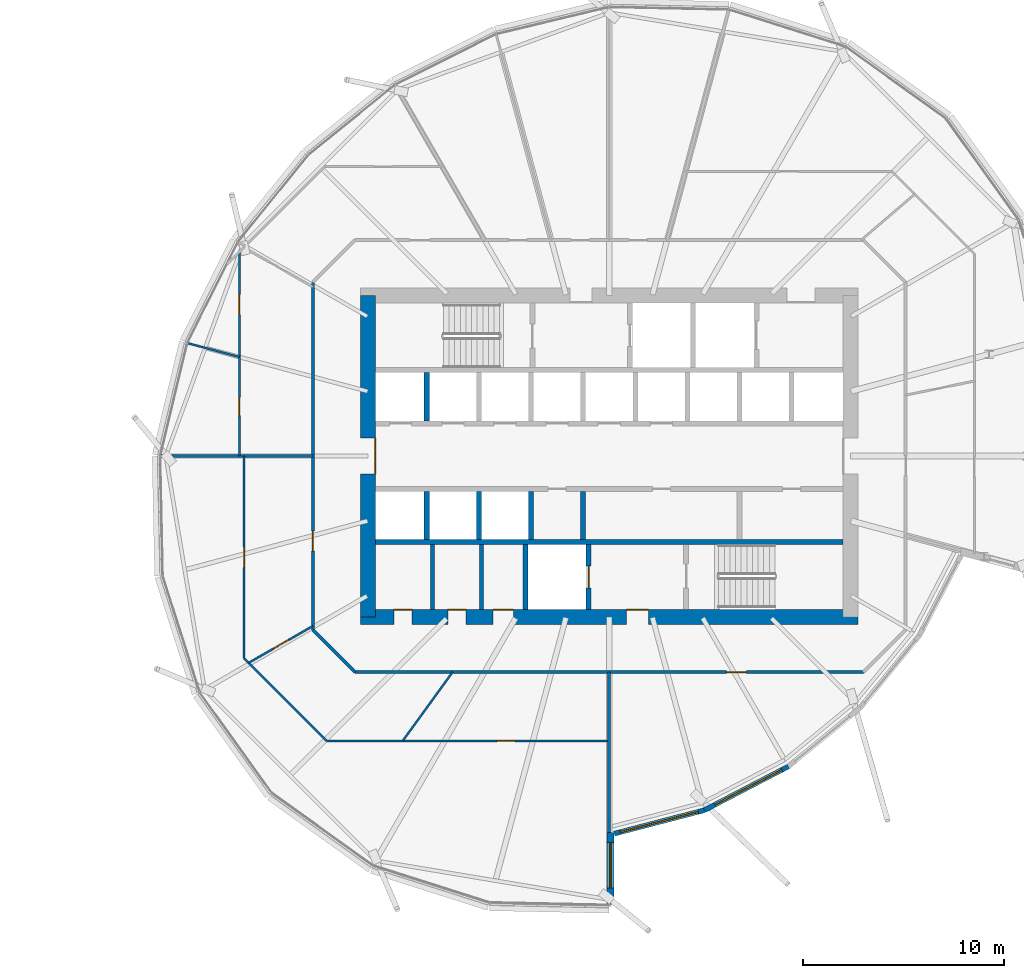
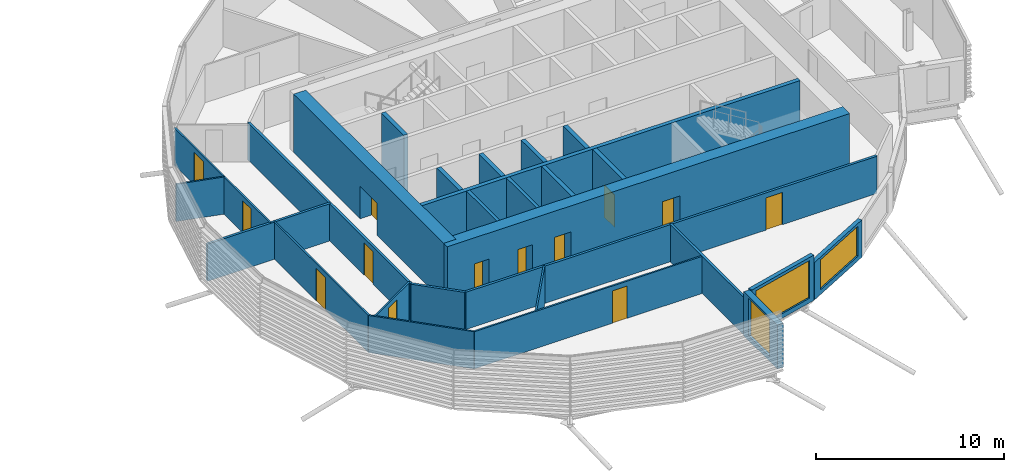
# One storey, part 24 of 40: 28 walls, 13 doors, 3 windows, 16 openings.
"""IFC4 building model written with IfcOpenShell, lengths in metres."""

from ifc_helpers import new_model, si_unit, direction, frame, frame_2d, origin, place, context, subcontext, project, spatial, rectangle, extrude, material, layer, layer_set, type_object, element, fill, save


model = new_model("IFC4")

# Units and contexts
model_context = context("Model", 3, precision=1e-05, world=origin(), true_north=direction((0.0, 1.0)))
body_context = subcontext(model_context, "Body", "Model", "MODEL_VIEW")
ifc_project = project(units=[si_unit("LENGTHUNIT", "METRE"), si_unit("AREAUNIT", "SQUARE_METRE"), si_unit("VOLUMEUNIT", "CUBIC_METRE"), si_unit("PLANEANGLEUNIT", "RADIAN"), si_unit("MASSUNIT", "GRAM", prefix="KILO")], contexts=[model_context])

# Site, building, storey
site_placement = place(None, origin())
site = spatial("IfcSite", under=ifc_project, at=site_placement, CompositionType="ELEMENT")
building_placement = place(site_placement, origin())
building = spatial("IfcBuilding", under=site, at=building_placement, Name="Rimbun Link Towers", CompositionType="ELEMENT")
storey_placement = place(building_placement, frame((0.0, 0.0, 89.199951171875)))
storey = spatial("IfcBuildingStorey", under=building, at=storey_placement, Name="L21", CompositionType="ELEMENT", Elevation=89.199951171875)

# Wall, opening, window
ifc_material_1 = material(Name="Dark enamelled glass spandrel on insulated aluminium backpan", Category="aluminium")
ifc_layer_1 = layer(ifc_material_1, 0.25)
ifc_layer_set_1 = layer_set([ifc_layer_1], Name="CS dark enamelled spandrel wall 250")
wall_type_1 = type_object("IfcWallType", Name="CS dark enamelled spandrel wall 250", PredefinedType="STANDARD", material=ifc_layer_set_1)
wall_1_placement = place(storey_placement, frame((36.486083984375, -17.623779296875, 0.0), z_axis=(0.0, 0.0, 1.0), x_axis=(-0.967713396726, -0.252053132883, 0.0)))
wall_1 = element("IfcWall", 1, at=wall_1_placement, inside=storey, type_object=wall_type_1, Name="Crease spandrel wall", PredefinedType="STANDARD", context=body_context, shape_type="SweptSolid", body=[
    extrude(rectangle(XDim=4.6357421875, YDim=0.25, at=frame_2d((2.31787109375, 0.0))), origin(), (0.0, 0.0, 1.0), 2.946533203125),
])
opening_1_placement = place(wall_1_placement, frame((0.31787109375, 0.0, 0.300048828125)))
opening_1 = element("IfcOpeningElement", 2, at=opening_1_placement, cuts=wall_1, Name="Opening WR40H245", PredefinedType="OPENING", context=body_context, shape_type="SweptSolid", body=[
    extrude(rectangle(XDim=4.0, YDim=2.449951171875, at=frame_2d((2.0, 1.22509765625))), frame((0.0, 0.135009765625, 0.0), z_axis=(0.0, -1.0, 0.0), x_axis=(1.0, 0.0, 0.0)), (0.0, 0.0, 1.0), 0.27001953125),
])
ifc_material_2 = material(Name="Aluminium framed fixed window, dark tinted low-e glass", Category="aluminium")
window_type_1 = type_object("IfcWindowType", Name="WR ribbon window 4000X2450", PartitioningType="SINGLE_PANEL", PredefinedType="WINDOW", material=ifc_material_2)
window_1_placement = place(opening_1_placement, origin())
window_1 = element("IfcWindow", 3, at=window_1_placement, inside=storey, type_object=window_type_1, Name="Crease ribbon window", OverallHeight=2.449951171875, OverallWidth=4.0, PartitioningType="SINGLE_PANEL", PredefinedType="WINDOW", context=body_context, shape_type="SweptSolid", body=[
    extrude(rectangle(XDim=4.0, YDim=2.449951171875, at=frame_2d((2.0, 1.22509765625))), frame((0.0, 0.030029296875, 0.0), z_axis=(0.0, -1.0, 0.0), x_axis=(1.0, 0.0, 0.0)), (0.0, 0.0, 1.0), 0.06005859375),
])
fill(opening_1, window_1)

wall_2_placement = place(storey_placement, frame((40.6748046875, -15.443359375, 0.0), z_axis=(0.0, 0.0, 1.0), x_axis=(-0.887018644264, -0.461733607969, 0.0)))
wall_2 = element("IfcWall", 4, at=wall_2_placement, inside=storey, type_object=wall_type_1, Name="Crease spandrel wall", PredefinedType="STANDARD", context=body_context, shape_type="SweptSolid", body=[
    extrude(rectangle(XDim=4.72216796875, YDim=0.25, at=frame_2d((2.361083984375, 0.0))), origin(), (0.0, 0.0, 1.0), 2.429931640625),
])
opening_2_placement = place(wall_2_placement, frame((0.376708984375, 0.0, 0.300048828125)))
opening_2 = element("IfcOpeningElement", 5, at=opening_2_placement, cuts=wall_2, Name="Opening WR38H195", PredefinedType="OPENING", context=body_context, shape_type="SweptSolid", body=[
    extrude(rectangle(XDim=3.75, YDim=1.949951171875, at=frame_2d((1.875, 0.97509765625))), frame((0.0, 0.135009765625, 0.0), z_axis=(0.0, -1.0, 0.0), x_axis=(1.0, 0.0, 0.0)), (0.0, 0.0, 1.0), 0.27001953125),
])
ifc_material_3 = material(Name="Aluminium framed fixed window, dark tinted low-e glass", Category="aluminium")
window_type_2 = type_object("IfcWindowType", Name="WR ribbon window 3750X1950", PartitioningType="SINGLE_PANEL", PredefinedType="WINDOW", material=ifc_material_3)
window_2_placement = place(opening_2_placement, origin())
window_2 = element("IfcWindow", 6, at=window_2_placement, inside=storey, type_object=window_type_2, Name="Crease ribbon window", OverallHeight=1.949951171875, OverallWidth=3.75, PartitioningType="SINGLE_PANEL", PredefinedType="WINDOW", context=body_context, shape_type="SweptSolid", body=[
    extrude(rectangle(XDim=3.75, YDim=1.949951171875, at=frame_2d((1.875, 0.97509765625))), frame((0.0, 0.030029296875, 0.0), z_axis=(0.0, -1.0, 0.0), x_axis=(1.0, 0.0, 0.0)), (0.0, 0.0, 1.0), 0.06005859375),
])
fill(opening_2, window_2)

ifc_material_4 = material(Name="Dark enamelled glass spandrel on insulated aluminium backpan", Category="aluminium")
ifc_layer_2 = layer(ifc_material_4, 0.3701171875)
ifc_layer_set_2 = layer_set([ifc_layer_2], Name="CS dark enamelled spandrel wall 370")
wall_type_2 = type_object("IfcWallType", Name="CS dark enamelled spandrel wall 370", PredefinedType="STANDARD", material=ifc_layer_set_2)
wall_3_placement = place(storey_placement, frame((31.81494140625, -18.728271484375, 0.0), z_axis=(0.0, 0.0, 1.0), x_axis=(0.0, -1.0, 0.0)))
wall_3 = element("IfcWall", 7, at=wall_3_placement, inside=storey, type_object=wall_type_2, Name="Crease spandrel wall", PredefinedType="STANDARD", context=body_context, shape_type="SweptSolid", body=[
    extrude(rectangle(XDim=3.580078125, YDim=0.3701171875, at=frame_2d((1.7900390625, 0.0))), origin(), (0.0, 0.0, 1.0), 2.867919921875),
])
opening_3_placement = place(wall_3_placement, frame((0.513427734375, 0.0, 0.300048828125)))
opening_3 = element("IfcOpeningElement", 8, at=opening_3_placement, cuts=wall_3, Name="Opening WR22H245", PredefinedType="OPENING", context=body_context, shape_type="SweptSolid", body=[
    extrude(rectangle(XDim=2.25, YDim=2.449951171875, at=frame_2d((1.125, 1.22509765625))), frame((0.0, 0.195068359375, 0.0), z_axis=(0.0, -1.0, 0.0), x_axis=(1.0, 0.0, 0.0)), (0.0, 0.0, 1.0), 0.39013671875),
])
ifc_material_5 = material(Name="Aluminium framed fixed window, dark tinted low-e glass", Category="aluminium")
window_type_3 = type_object("IfcWindowType", Name="WR ribbon window 2250X2450", PartitioningType="SINGLE_PANEL", PredefinedType="WINDOW", material=ifc_material_5)
window_3_placement = place(opening_3_placement, origin())
window_3 = element("IfcWindow", 9, at=window_3_placement, inside=storey, type_object=window_type_3, Name="Crease ribbon window", OverallHeight=2.449951171875, OverallWidth=2.25, PartitioningType="SINGLE_PANEL", PredefinedType="WINDOW", context=body_context, shape_type="SweptSolid", body=[
    extrude(rectangle(XDim=2.25, YDim=2.449951171875, at=frame_2d((1.125, 1.22509765625))), frame((0.0, 0.030029296875, 0.0), z_axis=(0.0, -1.0, 0.0), x_axis=(1.0, 0.0, 0.0)), (0.0, 0.0, 1.0), 0.06005859375),
])
fill(opening_3, window_3)

# Walls
ifc_material_6 = material(Name="Masonry blockwork", Category="masonry")
ifc_layer_3 = layer(ifc_material_6, 0.199951171875)
ifc_layer_set_3 = layer_set([ifc_layer_3], Name="Core partition 200")
wall_type_3 = type_object("IfcWallType", Name="Core partition 200", PredefinedType="PARTITIONING", material=ifc_layer_set_3)
for number, where, z_axis, x_axis, name in (
    (10, (22.949951171875, -4.39990234375, 0.0), (0.0, 0.0, 1.0), (0.0, -1.0, 0.0), "L21 T2 core wall C1"),
    (11, (25.39990234375, -4.39990234375, 0.0), (0.0, 0.0, 1.0), (0.0, -1.0, 0.0), "L21 T2 core wall C2"),
):
    element("IfcWall", number, at=place(storey_placement, frame(where, z_axis=z_axis, x_axis=x_axis)), inside=storey, type_object=wall_type_3, Name=name, PredefinedType="PARTITIONING", context=body_context, shape_type="SweptSolid", body=[
        extrude(rectangle(XDim=3.22509765625, YDim=0.199951171875, at=frame_2d((1.612548828125, 0.0))), origin(), (0.0, 0.0, 1.0), 3.800048828125),
    ])

# Wall, openings, doors
ifc_material_7 = material(Name="Concrete C60/75", Category="concrete")
ifc_layer_4 = layer(ifc_material_7, 0.75)
ifc_layer_set_4 = layer_set([ifc_layer_4], Name="Core shear wall 750")
wall_type_4 = type_object("IfcWallType", Name="Core shear wall 750", PredefinedType="SHEAR", material=ifc_layer_set_4)
wall_4_placement = place(storey_placement, frame((19.375, -8.0, 0.0), z_axis=(0.0, 0.0, 1.0), x_axis=(1.0, 0.0, 0.0)))
wall_4 = element("IfcWall", 12, at=wall_4_placement, inside=storey, type_object=wall_type_4, Name="L21 T2 core wall S", PredefinedType="SHEAR", context=body_context, shape_type="SweptSolid", body=[
    extrude(rectangle(XDim=24.75, YDim=0.75, at=frame_2d((12.375, 0.0))), origin(), (0.0, 0.0, 1.0), 3.800048828125),
])
opening_4_placement = place(wall_4_placement, frame((13.22509765625, 0.0, 0.0)))
opening_4 = element("IfcOpeningElement", 13, at=opening_4_placement, cuts=wall_4, Name="Opening C2DCF01S", PredefinedType="OPENING", context=body_context, shape_type="SweptSolid", body=[
    extrude(rectangle(XDim=1.10009765625, YDim=2.10009765625, at=frame_2d((0.550048828125, 1.050048828125))), frame((0.0, 0.385009765625, 0.0), z_axis=(0.0, -1.0, 0.0), x_axis=(1.0, 0.0, 0.0)), (0.0, 0.0, 1.0), 0.77001953125),
])
opening_5_placement = place(wall_4_placement, frame((1.66259765625, 0.0, 0.0)))
opening_5 = element("IfcOpeningElement", 14, at=opening_5_placement, cuts=wall_4, Name="Opening C2DWC02S", PredefinedType="OPENING", context=body_context, shape_type="SweptSolid", body=[
    extrude(rectangle(XDim=0.89990234375, YDim=2.10009765625, at=frame_2d((0.449951171875, 1.050048828125))), frame((0.0, 0.385009765625, 0.0), z_axis=(0.0, -1.0, 0.0), x_axis=(1.0, 0.0, 0.0)), (0.0, 0.0, 1.0), 0.77001953125),
])
opening_6_placement = place(wall_4_placement, frame((4.35009765625, 0.0, 0.0)))
opening_6 = element("IfcOpeningElement", 15, at=opening_6_placement, cuts=wall_4, Name="Opening C2DWC03S", PredefinedType="OPENING", context=body_context, shape_type="SweptSolid", body=[
    extrude(rectangle(XDim=0.89990234375, YDim=2.10009765625, at=frame_2d((0.449951171875, 1.050048828125))), frame((0.0, 0.385009765625, 0.0), z_axis=(0.0, -1.0, 0.0), x_axis=(1.0, 0.0, 0.0)), (0.0, 0.0, 1.0), 0.77001953125),
])
opening_7_placement = place(wall_4_placement, frame((6.60009765625, 0.0, 0.0)))
opening_7 = element("IfcOpeningElement", 16, at=opening_7_placement, cuts=wall_4, Name="Opening C2DAW04S", PredefinedType="OPENING", context=body_context, shape_type="SweptSolid", body=[
    extrude(rectangle(XDim=1.0, YDim=2.10009765625, at=frame_2d((0.5, 1.050048828125))), frame((0.0, 0.385009765625, 0.0), z_axis=(0.0, -1.0, 0.0), x_axis=(1.0, 0.0, 0.0)), (0.0, 0.0, 1.0), 0.77001953125),
])
ifc_material_8 = material(Name="Timber", Category="wood")
door_type_1 = type_object("IfcDoorType", Name="Accessible WC door", OperationType="SINGLE_SWING_LEFT", PredefinedType="DOOR", material=ifc_material_8)
door_1_placement = place(opening_7_placement, origin())
door_1 = element("IfcDoor", 17, at=door_1_placement, inside=storey, type_object=door_type_1, Name="L21 T2 accessible wc door", OperationType="SINGLE_SWING_LEFT", OverallHeight=2.10009765625, OverallWidth=1.0, PredefinedType="DOOR", context=body_context, shape_type="SweptSolid", body=[
    extrude(rectangle(XDim=1.0, YDim=2.10009765625, at=frame_2d((0.5, 1.050048828125))), frame((0.0, 0.375, 0.0), z_axis=(0.0, -1.0, 0.0), x_axis=(1.0, 0.0, 0.0)), (0.0, 0.0, 1.0), 0.050048828125),
])
fill(opening_7, door_1)
ifc_material_9 = material(Name="Steel fire door set", Category="steel")
door_type_2 = type_object("IfcDoorType", Name="Core fire door single", OperationType="SINGLE_SWING_LEFT", PredefinedType="DOOR", material=ifc_material_9)
door_2_placement = place(opening_4_placement, origin())
door_2 = element("IfcDoor", 18, at=door_2_placement, inside=storey, type_object=door_type_2, Name="L21 T2 firefighting lobby s door", OperationType="SINGLE_SWING_RIGHT", OverallHeight=2.10009765625, OverallWidth=1.10009765625, PredefinedType="DOOR", context=body_context, shape_type="SweptSolid", body=[
    extrude(rectangle(XDim=1.10009765625, YDim=2.10009765625, at=frame_2d((0.550048828125, 1.050048828125))), frame((0.0, 0.375, 0.0), z_axis=(0.0, -1.0, 0.0), x_axis=(1.0, 0.0, 0.0)), (0.0, 0.0, 1.0), 0.050048828125),
])
fill(opening_4, door_2)
ifc_material_10 = material(Name="Timber", Category="wood")
door_type_3 = type_object("IfcDoorType", Name="WC door", OperationType="SINGLE_SWING_LEFT", PredefinedType="DOOR", material=ifc_material_10)
door_3_placement = place(opening_5_placement, origin())
door_3 = element("IfcDoor", 19, at=door_3_placement, inside=storey, type_object=door_type_3, Name="L21 T2 male wc door", OperationType="SINGLE_SWING_RIGHT", OverallHeight=2.10009765625, OverallWidth=0.89990234375, PredefinedType="DOOR", context=body_context, shape_type="SweptSolid", body=[
    extrude(rectangle(XDim=0.89990234375, YDim=2.10009765625, at=frame_2d((0.449951171875, 1.050048828125))), frame((0.0, 0.375, 0.0), z_axis=(0.0, -1.0, 0.0), x_axis=(1.0, 0.0, 0.0)), (0.0, 0.0, 1.0), 0.050048828125),
])
fill(opening_5, door_3)
door_4_placement = place(opening_6_placement, origin())
door_4 = element("IfcDoor", 20, at=door_4_placement, inside=storey, type_object=door_type_3, Name="L21 T2 female wc door", OperationType="SINGLE_SWING_RIGHT", OverallHeight=2.10009765625, OverallWidth=0.89990234375, PredefinedType="DOOR", context=body_context, shape_type="SweptSolid", body=[
    extrude(rectangle(XDim=0.89990234375, YDim=2.10009765625, at=frame_2d((0.449951171875, 1.050048828125))), frame((0.0, 0.375, 0.0), z_axis=(0.0, -1.0, 0.0), x_axis=(1.0, 0.0, 0.0)), (0.0, 0.0, 1.0), 0.050048828125),
])
fill(opening_6, door_4)

# Wall, opening, door
wall_5_placement = place(storey_placement, frame((19.75, -8.0, 0.0), z_axis=(0.0, 0.0, 1.0), x_axis=(0.0, 1.0, 0.0)))
wall_5 = element("IfcWall", 21, at=wall_5_placement, inside=storey, type_object=wall_type_4, Name="L21 T2 core wall W", PredefinedType="SHEAR", context=body_context, shape_type="SweptSolid", body=[
    extrude(rectangle(XDim=16.0, YDim=0.75, at=frame_2d((8.0, 0.0))), origin(), (0.0, 0.0, 1.0), 3.800048828125),
])
opening_8_placement = place(wall_5_placement, frame((7.10009765625, 0.0, 0.0)))
opening_8 = element("IfcOpeningElement", 22, at=opening_8_placement, cuts=wall_5, Name="Opening C2DCL01W", PredefinedType="OPENING", context=body_context, shape_type="SweptSolid", body=[
    extrude(rectangle(XDim=1.800048828125, YDim=2.10009765625, at=frame_2d((0.89990234375, 1.050048828125))), frame((0.0, 0.385009765625, 0.0), z_axis=(0.0, -1.0, 0.0), x_axis=(1.0, 0.0, 0.0)), (0.0, 0.0, 1.0), 0.77001953125),
])
ifc_material_11 = material(Name="Steel fire door set", Category="steel")
door_type_4 = type_object("IfcDoorType", Name="Core lobby door double", OperationType="DOUBLE_DOOR_SINGLE_SWING", PredefinedType="DOOR", material=ifc_material_11)
door_5_placement = place(opening_8_placement, origin())
door_5 = element("IfcDoor", 23, at=door_5_placement, inside=storey, type_object=door_type_4, Name="L21 T2 lift lobby door", OperationType="DOUBLE_DOOR_SINGLE_SWING", OverallHeight=2.10009765625, OverallWidth=1.800048828125, PredefinedType="DOOR", context=body_context, shape_type="SweptSolid", body=[
    extrude(rectangle(XDim=1.800048828125, YDim=2.10009765625, at=frame_2d((0.89990234375, 1.050048828125))), frame((0.0, -0.3251953125, 0.0), z_axis=(0.0, -1.0, 0.0), x_axis=(1.0, 0.0, 0.0)), (0.0, 0.0, 1.0), 0.050048828125),
])
fill(opening_8, door_5)

ifc_material_12 = material(Name="Plasterboard on steel stud, mineral wool", Category="steel")
ifc_layer_5 = layer(ifc_material_12, 0.14990234375)
ifc_layer_set_5 = layer_set([ifc_layer_5], Name="Corridor wall EI 30 150 mm")
wall_type_5 = type_object("IfcWallType", Name="Corridor wall EI 30 150 mm", PredefinedType="PARTITIONING", material=ifc_layer_set_5)
wall_6_placement = place(storey_placement, frame((44.401611328125, -10.75, 0.0), z_axis=(0.0, 0.0, 1.0), x_axis=(-1.0, 0.0, 0.0)))
wall_6 = element("IfcWall", 24, at=wall_6_placement, inside=storey, type_object=wall_type_5, Name="Corridor wall EI 30 150 mm", PredefinedType="PARTITIONING", context=body_context, shape_type="SweptSolid", body=[
    extrude(rectangle(XDim=25.30322265625, YDim=0.14990234375, at=frame_2d((12.651611328125, 0.0))), origin(), (0.0, 0.0, 1.0), 2.420166015625),
])
opening_9_placement = place(wall_6_placement, frame((5.825927734375, 0.0, 0.0)))
opening_9 = element("IfcOpeningElement", 25, at=opening_9_placement, cuts=wall_6, Name="Opening D01", PredefinedType="OPENING", context=body_context, shape_type="SweptSolid", body=[
    extrude(rectangle(XDim=1.0, YDim=2.10009765625, at=frame_2d((0.5, 1.050048828125))), frame((0.0, 0.0849609375, 0.0), z_axis=(0.0, -1.0, 0.0), x_axis=(1.0, 0.0, 0.0)), (0.0, 0.0, 1.0), 0.169921875),
])
ifc_material_13 = material(Name="Fire-resisting timber door leaf", Category="wood")
door_type_5 = type_object("IfcDoorType", Name="Fire door FD30S 1000", OperationType="NOTDEFINED", PredefinedType="DOOR", material=ifc_material_13)
door_6_placement = place(opening_9_placement, origin())
door_6 = element("IfcDoor", 26, at=door_6_placement, inside=storey, type_object=door_type_5, Name="Fire door FD30S 1000 to Terrace office", OperationType="SINGLE_SWING_LEFT", OverallHeight=2.10009765625, OverallWidth=1.0, PredefinedType="DOOR", context=body_context, shape_type="SweptSolid", body=[
    extrude(rectangle(XDim=1.0, YDim=2.10009765625, at=frame_2d((0.5, 1.050048828125))), frame((0.0, 0.02490234375, 0.0), z_axis=(0.0, -1.0, 0.0), x_axis=(1.0, 0.0, 0.0)), (0.0, 0.0, 1.0), 0.050048828125),
])
fill(opening_9, door_6)

# Wall
wall_7_placement = place(storey_placement, frame((17.0, -8.651611328125, 0.0), z_axis=(0.0, 0.0, 1.0), x_axis=(0.707106781187, -0.707106781187, 0.0)))
element("IfcWall", 27, at=wall_7_placement, inside=storey, type_object=wall_type_5, Name="Corridor wall EI 30 150 mm", PredefinedType="PARTITIONING", context=body_context, shape_type="SweptSolid", body=[
    extrude(rectangle(XDim=2.967529296875, YDim=0.14990234375, at=frame_2d((1.48388671875, 0.0))), origin(), (0.0, 0.0, 1.0), 2.420166015625),
])

# Wall, opening, door
wall_8_placement = place(storey_placement, frame((17.0, -8.651611328125, 0.0), z_axis=(0.0, 0.0, 1.0), x_axis=(0.0, 1.0, 0.0)))
wall_8 = element("IfcWall", 28, at=wall_8_placement, inside=storey, type_object=wall_type_5, Name="Corridor wall EI 30 150 mm", PredefinedType="PARTITIONING", context=body_context, shape_type="SweptSolid", body=[
    extrude(rectangle(XDim=17.30322265625, YDim=0.14990234375, at=frame_2d((8.651611328125, 0.0))), origin(), (0.0, 0.0, 1.0), 2.420166015625),
])
opening_10_placement = place(wall_8_placement, frame((3.92333984375, 0.0, 0.0)))
opening_10 = element("IfcOpeningElement", 29, at=opening_10_placement, cuts=wall_8, Name="Opening D01", PredefinedType="OPENING", context=body_context, shape_type="SweptSolid", body=[
    extrude(rectangle(XDim=1.0, YDim=2.10009765625, at=frame_2d((0.5, 1.050048828125))), frame((0.0, 0.0849609375, 0.0), z_axis=(0.0, -1.0, 0.0), x_axis=(1.0, 0.0, 0.0)), (0.0, 0.0, 1.0), 0.169921875),
])
door_7_placement = place(opening_10_placement, origin())
door_7 = element("IfcDoor", 30, at=door_7_placement, inside=storey, type_object=door_type_5, Name="Fire door FD30S 1000 to Reception", OperationType="SINGLE_SWING_RIGHT", OverallHeight=2.10009765625, OverallWidth=1.0, PredefinedType="DOOR", context=body_context, shape_type="SweptSolid", body=[
    extrude(rectangle(XDim=1.0, YDim=2.10009765625, at=frame_2d((0.5, 1.050048828125))), frame((0.0, 0.02490234375, 0.0), z_axis=(0.0, -1.0, 0.0), x_axis=(1.0, 0.0, 0.0)), (0.0, 0.0, 1.0), 0.050048828125),
])
fill(opening_10, door_7)

ifc_material_14 = material(Name="Plasterboard on steel stud", Category="steel")
ifc_layer_6 = layer(ifc_material_14, 0.10009765625)
ifc_layer_set_6 = layer_set([ifc_layer_6], Name="Plasterboard partition 100 mm")
wall_type_6 = type_object("IfcWallType", Name="Plasterboard partition 100 mm", PredefinedType="PARTITIONING", material=ifc_layer_set_6)
wall_9_placement = place(storey_placement, frame((13.340087890625, 4.93310546875, 0.0), z_axis=(0.0, 0.0, 1.0), x_axis=(0.0, 1.0, 0.0)))
wall_9 = element("IfcWall", 31, at=wall_9_placement, inside=storey, type_object=wall_type_6, Name="Plasterboard partition 100 mm", PredefinedType="PARTITIONING", context=body_context, shape_type="SweptSolid", body=[
    extrude(rectangle(XDim=5.234619140625, YDim=0.10009765625, at=frame_2d((2.6171875, 0.0))), origin(), (0.0, 0.0, 1.0), 2.420166015625),
])
opening_11_placement = place(wall_9_placement, frame((2.1171875, 0.0, 0.0)))
opening_11 = element("IfcOpeningElement", 32, at=opening_11_placement, cuts=wall_9, Name="Opening D03", PredefinedType="OPENING", context=body_context, shape_type="SweptSolid", body=[
    extrude(rectangle(XDim=1.0, YDim=2.10009765625, at=frame_2d((0.5, 1.050048828125))), frame((0.0, 0.06005859375, 0.0), z_axis=(0.0, -1.0, 0.0), x_axis=(1.0, 0.0, 0.0)), (0.0, 0.0, 1.0), 0.1201171875),
])
ifc_material_15 = material(Name="Timber door leaf", Category="wood")
door_type_6 = type_object("IfcDoorType", Name="Flush door 1000", OperationType="NOTDEFINED", PredefinedType="DOOR", material=ifc_material_15)
door_8_placement = place(opening_11_placement, origin())
door_8 = element("IfcDoor", 33, at=door_8_placement, inside=storey, type_object=door_type_6, Name="Flush door 1000 to Open office", OperationType="SINGLE_SWING_RIGHT", OverallHeight=2.10009765625, OverallWidth=1.0, PredefinedType="DOOR", context=body_context, shape_type="SweptSolid", body=[
    extrude(rectangle(XDim=1.0, YDim=2.10009765625, at=frame_2d((0.5, 1.050048828125))), frame((0.0, 0.02490234375, 0.0), z_axis=(0.0, -1.0, 0.0), x_axis=(1.0, 0.0, 0.0)), (0.0, 0.0, 1.0), 0.050048828125),
])
fill(opening_11, door_8)

wall_10_placement = place(storey_placement, frame((13.340087890625, 0.0, 0.0), z_axis=(0.0, 0.0, 1.0), x_axis=(0.0, 1.0, 0.0)))
wall_10 = element("IfcWall", 34, at=wall_10_placement, inside=storey, type_object=wall_type_6, Name="Plasterboard partition 100 mm", PredefinedType="PARTITIONING", context=body_context, shape_type="SweptSolid", body=[
    extrude(rectangle(XDim=4.93310546875, YDim=0.10009765625, at=frame_2d((2.466552734375, 0.0))), origin(), (0.0, 0.0, 1.0), 2.420166015625),
])
opening_12_placement = place(wall_10_placement, frame((2.0166015625, 0.0, 0.0)))
opening_12 = element("IfcOpeningElement", 35, at=opening_12_placement, cuts=wall_10, Name="Opening D04", PredefinedType="OPENING", context=body_context, shape_type="SweptSolid", body=[
    extrude(rectangle(XDim=0.89990234375, YDim=2.10009765625, at=frame_2d((0.449951171875, 1.050048828125))), frame((0.0, 0.06005859375, 0.0), z_axis=(0.0, -1.0, 0.0), x_axis=(1.0, 0.0, 0.0)), (0.0, 0.0, 1.0), 0.1201171875),
])
ifc_material_16 = material(Name="Timber door leaf", Category="wood")
door_type_7 = type_object("IfcDoorType", Name="Flush door 900", OperationType="NOTDEFINED", PredefinedType="DOOR", material=ifc_material_16)
door_9_placement = place(opening_12_placement, origin())
door_9 = element("IfcDoor", 36, at=door_9_placement, inside=storey, type_object=door_type_7, Name="Flush door 900 to Boardroom", OperationType="SINGLE_SWING_LEFT", OverallHeight=2.10009765625, OverallWidth=0.89990234375, PredefinedType="DOOR", context=body_context, shape_type="SweptSolid", body=[
    extrude(rectangle(XDim=0.89990234375, YDim=2.10009765625, at=frame_2d((0.449951171875, 1.050048828125))), frame((0.0, 0.02490234375, 0.0), z_axis=(0.0, -1.0, 0.0), x_axis=(1.0, 0.0, 0.0)), (0.0, 0.0, 1.0), 0.050048828125),
])
fill(opening_12, door_9)

# Wall
wall_11_placement = place(storey_placement, frame((10.766357421875, 5.62255859375, 0.0), z_axis=(0.0, 0.0, 1.0), x_axis=(0.965942326221, -0.258757458665, 0.0)))
element("IfcWall", 37, at=wall_11_placement, inside=storey, type_object=wall_type_6, Name="Plasterboard partition 100 mm", PredefinedType="PARTITIONING", context=body_context, shape_type="SweptSolid", body=[
    extrude(rectangle(XDim=2.66455078125, YDim=0.10009765625, at=frame_2d((1.332275390625, 0.0))), origin(), (0.0, 0.0, 1.0), 2.420166015625),
])

# Wall, opening, door
wall_12_placement = place(storey_placement, frame((17.0, -8.45654296875, 0.0), z_axis=(0.0, 0.0, 1.0), x_axis=(-0.867533095904, -0.497379460282, 0.0)))
wall_12 = element("IfcWall", 38, at=wall_12_placement, inside=storey, type_object=wall_type_6, Name="Plasterboard partition 100 mm", PredefinedType="PARTITIONING", context=body_context, shape_type="SweptSolid", body=[
    extrude(rectangle(XDim=3.686279296875, YDim=0.10009765625, at=frame_2d((1.84326171875, 0.0))), origin(), (0.0, 0.0, 1.0), 2.420166015625),
])
opening_13_placement = place(wall_12_placement, frame((1.393310546875, 0.0, 0.0)))
opening_13 = element("IfcOpeningElement", 39, at=opening_13_placement, cuts=wall_12, Name="Opening D04", PredefinedType="OPENING", context=body_context, shape_type="SweptSolid", body=[
    extrude(rectangle(XDim=0.89990234375, YDim=2.10009765625, at=frame_2d((0.449951171875, 1.050048828125))), frame((0.0, 0.06005859375, 0.0), z_axis=(0.0, -1.0, 0.0), x_axis=(1.0, 0.0, 0.0)), (0.0, 0.0, 1.0), 0.1201171875),
])
door_10_placement = place(opening_13_placement, origin())
door_10 = element("IfcDoor", 40, at=door_10_placement, inside=storey, type_object=door_type_7, Name="Flush door 900 to Meeting room", OperationType="SINGLE_SWING_RIGHT", OverallHeight=2.10009765625, OverallWidth=0.89990234375, PredefinedType="DOOR", context=body_context, shape_type="SweptSolid", body=[
    extrude(rectangle(XDim=0.89990234375, YDim=2.10009765625, at=frame_2d((0.449951171875, 1.050048828125))), frame((0.0, 0.02490234375, 0.0), z_axis=(0.0, -1.0, 0.0), x_axis=(1.0, 0.0, 0.0)), (0.0, 0.0, 1.0), 0.050048828125),
])
fill(opening_13, door_10)

wall_13_placement = place(storey_placement, frame((13.580078125, -10.068359375, 0.0), z_axis=(0.0, 0.0, 1.0), x_axis=(0.0, 1.0, 0.0)))
wall_13 = element("IfcWall", 41, at=wall_13_placement, inside=storey, type_object=wall_type_6, Name="Plasterboard partition 100 mm", PredefinedType="PARTITIONING", context=body_context, shape_type="SweptSolid", body=[
    extrude(rectangle(XDim=10.068359375, YDim=0.10009765625, at=frame_2d((5.0341796875, 0.0))), origin(), (0.0, 0.0, 1.0), 2.420166015625),
])
opening_14_placement = place(wall_13_placement, frame((4.5341796875, 0.0, 0.0)))
opening_14 = element("IfcOpeningElement", 42, at=opening_14_placement, cuts=wall_13, Name="Opening D03", PredefinedType="OPENING", context=body_context, shape_type="SweptSolid", body=[
    extrude(rectangle(XDim=1.0, YDim=2.10009765625, at=frame_2d((0.5, 1.050048828125))), frame((0.0, 0.06005859375, 0.0), z_axis=(0.0, -1.0, 0.0), x_axis=(1.0, 0.0, 0.0)), (0.0, 0.0, 1.0), 0.1201171875),
])
door_11_placement = place(opening_14_placement, origin())
door_11 = element("IfcDoor", 43, at=door_11_placement, inside=storey, type_object=door_type_6, Name="Flush door 1000 to Open office", OperationType="SINGLE_SWING_LEFT", OverallHeight=2.10009765625, OverallWidth=1.0, PredefinedType="DOOR", context=body_context, shape_type="SweptSolid", body=[
    extrude(rectangle(XDim=1.0, YDim=2.10009765625, at=frame_2d((0.5, 1.050048828125))), frame((0.0, 0.02490234375, 0.0), z_axis=(0.0, -1.0, 0.0), x_axis=(1.0, 0.0, 0.0)), (0.0, 0.0, 1.0), 0.050048828125),
])
fill(opening_14, door_11)

# Walls
wall_14_placement = place(storey_placement, frame((13.580078125, -10.068359375, 0.0), z_axis=(0.0, 0.0, 1.0), x_axis=(0.707106781187, -0.707106781187, 0.0)))
element("IfcWall", 44, at=wall_14_placement, inside=storey, type_object=wall_type_6, Name="Plasterboard partition 100 mm", PredefinedType="PARTITIONING", context=body_context, shape_type="SweptSolid", body=[
    extrude(rectangle(XDim=5.800537109375, YDim=0.10009765625, at=frame_2d((2.900390625, 0.0))), origin(), (0.0, 0.0, 1.0), 2.420166015625),
])
wall_15_placement = place(storey_placement, frame((21.474609375, -14.169921875, 0.0), z_axis=(0.0, 0.0, 1.0), x_axis=(0.587050906229, 0.809550019144, 0.0)))
element("IfcWall", 45, at=wall_15_placement, inside=storey, type_object=wall_type_6, Name="Plasterboard partition 100 mm", PredefinedType="PARTITIONING", context=body_context, shape_type="SweptSolid", body=[
    extrude(rectangle(XDim=4.224365234375, YDim=0.10009765625, at=frame_2d((2.1123046875, 0.0))), origin(), (0.0, 0.0, 1.0), 2.420166015625),
])

# Wall, opening, door
wall_16_placement = place(storey_placement, frame((17.681640625, -14.169921875, 0.0), z_axis=(0.0, 0.0, 1.0), x_axis=(1.0, 0.0, 0.0)))
wall_16 = element("IfcWall", 46, at=wall_16_placement, inside=storey, type_object=wall_type_6, Name="Plasterboard partition 100 mm", PredefinedType="PARTITIONING", context=body_context, shape_type="SweptSolid", body=[
    extrude(rectangle(XDim=14.068359375, YDim=0.10009765625, at=frame_2d((7.0341796875, 0.0))), origin(), (0.0, 0.0, 1.0), 2.420166015625),
])
opening_15_placement = place(wall_16_placement, frame((8.480712890625, 0.0, 0.0)))
opening_15 = element("IfcOpeningElement", 47, at=opening_15_placement, cuts=wall_16, Name="Opening D04", PredefinedType="OPENING", context=body_context, shape_type="SweptSolid", body=[
    extrude(rectangle(XDim=0.89990234375, YDim=2.10009765625, at=frame_2d((0.449951171875, 1.050048828125))), frame((0.0, 0.06005859375, 0.0), z_axis=(0.0, -1.0, 0.0), x_axis=(1.0, 0.0, 0.0)), (0.0, 0.0, 1.0), 0.1201171875),
])
door_12_placement = place(opening_15_placement, origin())
door_12 = element("IfcDoor", 48, at=door_12_placement, inside=storey, type_object=door_type_7, Name="Flush door 900 to Print room", OperationType="SINGLE_SWING_LEFT", OverallHeight=2.10009765625, OverallWidth=0.89990234375, PredefinedType="DOOR", context=body_context, shape_type="SweptSolid", body=[
    extrude(rectangle(XDim=0.89990234375, YDim=2.10009765625, at=frame_2d((0.449951171875, 1.050048828125))), frame((0.0, 0.02490234375, 0.0), z_axis=(0.0, -1.0, 0.0), x_axis=(1.0, 0.0, 0.0)), (0.0, 0.0, 1.0), 0.050048828125),
])
fill(opening_15, door_12)

# Walls
ifc_material_17 = material(Name="Concrete C60/75", Category="concrete")
ifc_layer_7 = layer(ifc_material_17, 0.25)
ifc_layer_set_7 = layer_set([ifc_layer_7], Name="Shaft wall 250")
wall_type_7 = type_object("IfcWallType", Name="Shaft wall 250", PredefinedType="SHEAR", material=ifc_layer_set_7)
wall_17_placement = place(storey_placement, frame((20.125, -4.27490234375, 0.0), z_axis=(0.0, 0.0, 1.0), x_axis=(1.0, 0.0, 0.0)))
element("IfcWall", 49, at=wall_17_placement, inside=storey, type_object=wall_type_7, Name="L21 T2 core wall BS", PredefinedType="SHEAR", context=body_context, shape_type="SweptSolid", body=[
    extrude(rectangle(XDim=23.25, YDim=0.25, at=frame_2d((11.625, 0.0))), origin(), (0.0, 0.0, 1.0), 3.800048828125),
])
for number, where, z_axis, x_axis, name in (
    (50, (22.66943359375, 1.75, 0.0), (0.0, 0.0, 1.0), (0.0, 1.0, 0.0), "L21 T2 core wall DN0"),
    (51, (22.66943359375, -4.14990234375, 0.0), (0.0, 0.0, 1.0), (0.0, 1.0, 0.0), "L21 T2 core wall DS0"),
    (52, (25.263916015625, -4.14990234375, 0.0), (0.0, 0.0, 1.0), (0.0, 1.0, 0.0), "L21 T2 core wall DS1"),
    (53, (27.8583984375, -4.14990234375, 0.0), (0.0, 0.0, 1.0), (0.0, 1.0, 0.0), "L21 T2 core wall DS2"),
    (54, (30.452880859375, -4.14990234375, 0.0), (0.0, 0.0, 1.0), (0.0, 1.0, 0.0), "L21 T2 core wall DS3"),
):
    element("IfcWall", number, at=place(storey_placement, frame(where, z_axis=z_axis, x_axis=x_axis)), inside=storey, type_object=wall_type_7, Name=name, PredefinedType="SHEAR", context=body_context, shape_type="SweptSolid", body=[
        extrude(rectangle(XDim=2.39990234375, YDim=0.25, at=frame_2d((1.199951171875, 0.0))), origin(), (0.0, 0.0, 1.0), 3.800048828125),
    ])

# Wall, opening, door
wall_18_placement = place(storey_placement, frame((30.72509765625, -4.39990234375, 0.0), z_axis=(0.0, 0.0, 1.0), x_axis=(0.0, -1.0, 0.0)))
wall_18 = element("IfcWall", 55, at=wall_18_placement, inside=storey, type_object=wall_type_7, Name="L21 T2 core wall B2", PredefinedType="SHEAR", context=body_context, shape_type="SweptSolid", body=[
    extrude(rectangle(XDim=3.22509765625, YDim=0.25, at=frame_2d((1.612548828125, 0.0))), origin(), (0.0, 0.0, 1.0), 3.800048828125),
])
opening_16_placement = place(wall_18_placement, frame((1.0625, 0.0, 0.0)))
opening_16 = element("IfcOpeningElement", 56, at=opening_16_placement, cuts=wall_18, Name="Opening LD-T2-FF2", PredefinedType="OPENING", context=body_context, shape_type="SweptSolid", body=[
    extrude(rectangle(XDim=1.10009765625, YDim=2.10009765625, at=frame_2d((0.550048828125, 1.050048828125))), frame((0.0, 0.135009765625, 0.0), z_axis=(0.0, -1.0, 0.0), x_axis=(1.0, 0.0, 0.0)), (0.0, 0.0, 1.0), 0.27001953125),
])
ifc_material_18 = material(Name="Stainless steel grade 316", Category="steel")
door_type_8 = type_object("IfcDoorType", Name="Lift landing door", OperationType="DOUBLE_DOOR_SLIDING", PredefinedType="DOOR", material=ifc_material_18)
door_13_placement = place(opening_16_placement, origin())
door_13 = element("IfcDoor", 57, at=door_13_placement, inside=storey, type_object=door_type_8, Name="L21 T2 lift FF2 landing door", OperationType="DOUBLE_DOOR_SLIDING", OverallHeight=2.10009765625, OverallWidth=1.10009765625, PredefinedType="DOOR", context=body_context, shape_type="SweptSolid", body=[
    extrude(rectangle(XDim=1.10009765625, YDim=2.10009765625, at=frame_2d((0.550048828125, 1.050048828125))), frame((0.0, 0.02490234375, 0.0), z_axis=(0.0, -1.0, 0.0), x_axis=(1.0, 0.0, 0.0)), (0.0, 0.0, 1.0), 0.050048828125),
])
fill(opening_16, door_13)

# Walls
wall_19_placement = place(storey_placement, frame((27.574951171875, -4.39990234375, 0.0), z_axis=(0.0, 0.0, 1.0), x_axis=(0.0, -1.0, 0.0)))
element("IfcWall", 58, at=wall_19_placement, inside=storey, type_object=wall_type_7, Name="L21 T2 core wall B3", PredefinedType="SHEAR", context=body_context, shape_type="SweptSolid", body=[
    extrude(rectangle(XDim=3.22509765625, YDim=0.25, at=frame_2d((1.612548828125, 0.0))), origin(), (0.0, 0.0, 1.0), 3.800048828125),
])
ifc_material_19 = material(Name="Plasterboard on steel stud, mineral wool", Category="steel")
ifc_layer_8 = layer(ifc_material_19, 0.14990234375)
ifc_layer_set_8 = layer_set([ifc_layer_8], Name="Tenancy separation wall EI 60 150 mm")
wall_type_8 = type_object("IfcWallType", Name="Tenancy separation wall EI 60 150 mm", PredefinedType="PARTITIONING", material=ifc_layer_set_8)
wall_20_placement = place(storey_placement, frame((17.0, 0.0, 0.0), z_axis=(0.0, 0.0, 1.0), x_axis=(-1.0, 0.0, 0.0)))
element("IfcWall", 59, at=wall_20_placement, inside=storey, type_object=wall_type_8, Name="Tenancy separation wall EI 60 150 mm", PredefinedType="PARTITIONING", context=body_context, shape_type="SweptSolid", body=[
    extrude(rectangle(XDim=7.578369140625, YDim=0.14990234375, at=frame_2d((3.7890625, 0.0))), origin(), (0.0, 0.0, 1.0), 2.420166015625),
])
wall_21_placement = place(storey_placement, frame((31.75, -10.75, 0.0), z_axis=(0.0, 0.0, 1.0), x_axis=(0.0, -1.0, 0.0)))
element("IfcWall", 60, at=wall_21_placement, inside=storey, type_object=wall_type_8, Name="Tenancy separation wall EI 60 150 mm", PredefinedType="PARTITIONING", context=body_context, shape_type="SweptSolid", body=[
    extrude(rectangle(XDim=7.978271484375, YDim=0.14990234375, at=frame_2d((3.9892578125, 0.0))), origin(), (0.0, 0.0, 1.0), 2.420166015625),
])

save(model, "model.ifc")
